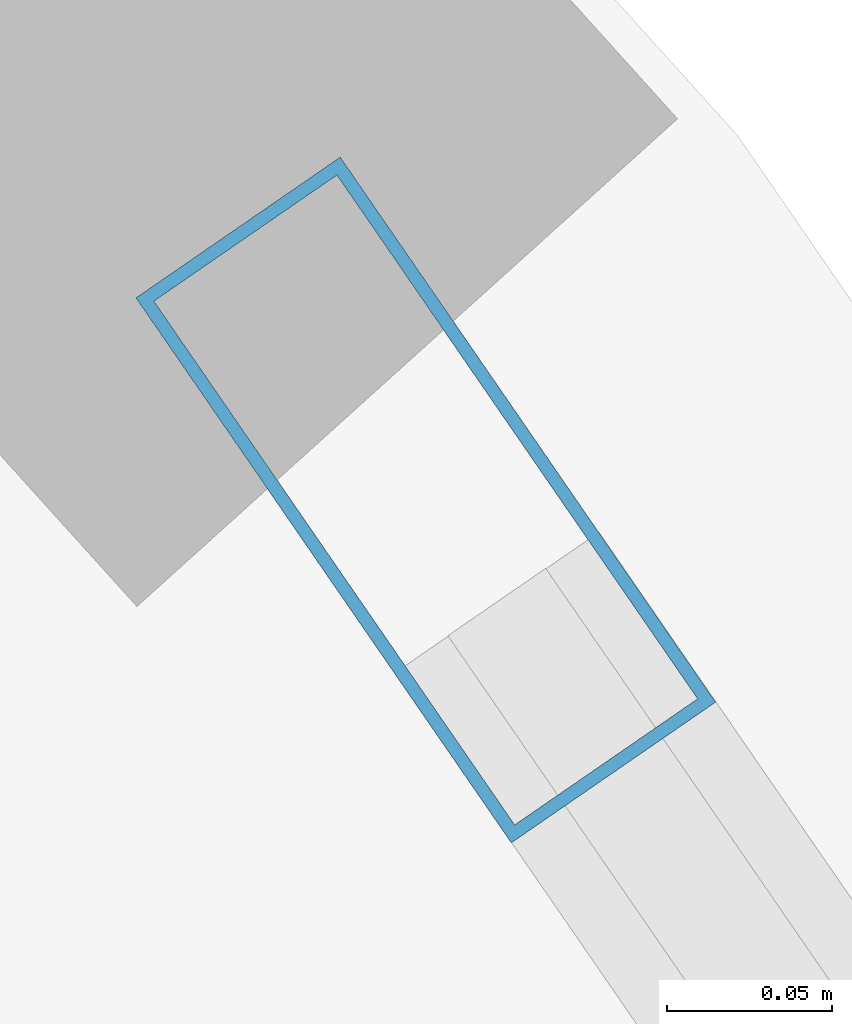
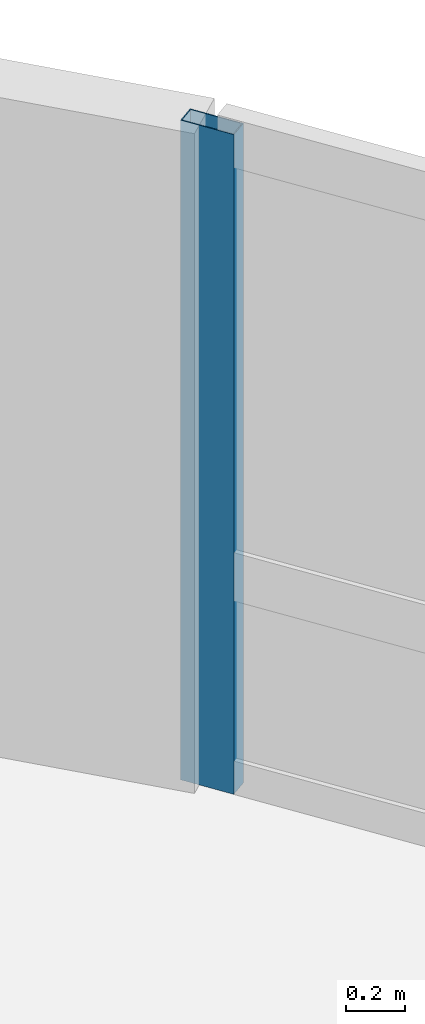
# One storey, part 12 of 21: 1 member, 1 element without a shape of its own.
"""IFC4 building model written with IfcOpenShell, lengths in metres."""

from ifc_helpers import new_model, si_unit, direction, frame, origin, origin_2d, place, context, subcontext, project, spatial, hollow_rectangle, extrude, material, layer, layer_set, material_profile, profile_set, type_object, element, aggregate, save


model = new_model("IFC4")

# Units and contexts
model_context = context("Model", 3, precision=1e-05, world=origin(), true_north=direction((0.0, 1.0)))
body_context = subcontext(model_context, "Body", "Model", "MODEL_VIEW")
ifc_project = project(units=[si_unit("LENGTHUNIT", "METRE"), si_unit("AREAUNIT", "SQUARE_METRE"), si_unit("VOLUMEUNIT", "CUBIC_METRE"), si_unit("PLANEANGLEUNIT", "RADIAN"), si_unit("MASSUNIT", "GRAM", prefix="KILO")], contexts=[model_context])

# Site, building, storey
site_placement = place(None, origin())
site = spatial("IfcSite", under=ifc_project, at=site_placement, CompositionType="ELEMENT")
building_placement = place(site_placement, origin())
building = spatial("IfcBuilding", under=site, at=building_placement, Name="Varnelok Gate Tower", CompositionType="ELEMENT")
storey_placement = place(building_placement, frame((0.0, 0.0, 269.300048828125)))
storey = spatial("IfcBuildingStorey", under=building, at=storey_placement, Name="L69", CompositionType="ELEMENT", Elevation=269.300048828125)

# Curtain wall, member
ifc_material = material(Name="Anodized Aluminum Alloy 6063-T6", Category="aluminium")
ifc_layer = layer(ifc_material, 0.179931640625)
ifc_layer_set = layer_set([ifc_layer], Name="Anodized Aluminum Alloy 6063-T6")
curtain_wall_type = type_object("IfcCurtainWallType", Name="CW4-RESIDENCE-VISION", PredefinedType="USERDEFINED", material=ifc_layer_set)
curtain_wall_placement = place(storey_placement, origin())
curtain_wall = element("IfcCurtainWall", 1, at=curtain_wall_placement, inside=storey, type_object=curtain_wall_type, Name="L69 East End Vision Curtain Wall", ObjectType="UNITISED CURTAIN WALL", PredefinedType="USERDEFINED")
ifc_material_profile = material_profile(ifc_material, hollow_rectangle(XDim=0.074951171875, YDim=0.199951171875, WallThickness=0.00390625, at=origin_2d()), Name="ALU200X75X4")
ifc_profile_set = profile_set([ifc_material_profile], Name="Anodized Aluminum Alloy 6063-T6")
member_type = type_object("IfcMemberType", Name="CW-MULL-200", PredefinedType="MULLION", material=ifc_profile_set)
member_placement = place(storey_placement, frame((57.515380859375, 56.8134765625, 0.0), z_axis=(0.0, 0.0, 1.0), x_axis=(0.823532290241, 0.567269395376, 0.0)))
member = element("IfcMember", 2, at=member_placement, type_object=member_type, Name="CW4 mullion 1", PredefinedType="MULLION", context=body_context, shape_type="SweptSolid", body=[
    extrude(hollow_rectangle(XDim=0.074951171875, YDim=0.199951171875, WallThickness=0.00390625, at=origin_2d()), origin(), (0.0, 0.0, 1.0), 2.72998046875),
])
aggregate(curtain_wall, [member])

save(model, "model.ifc")
